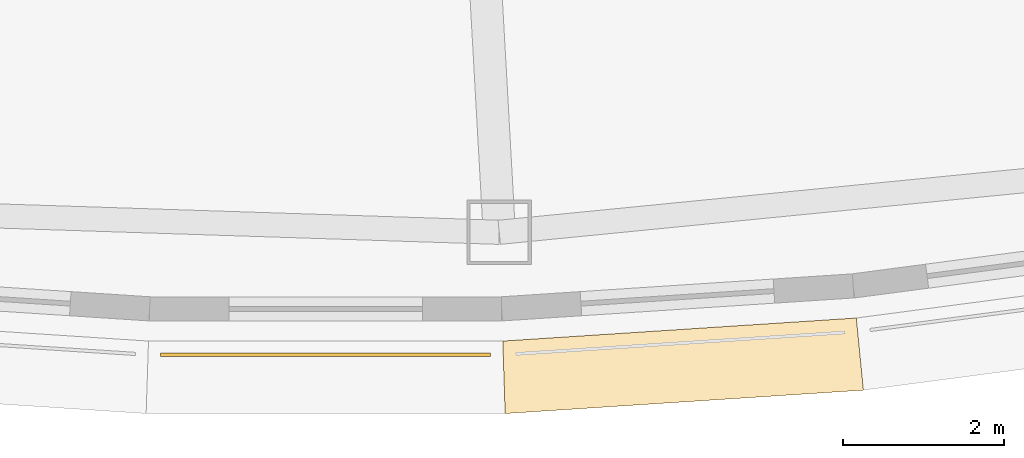
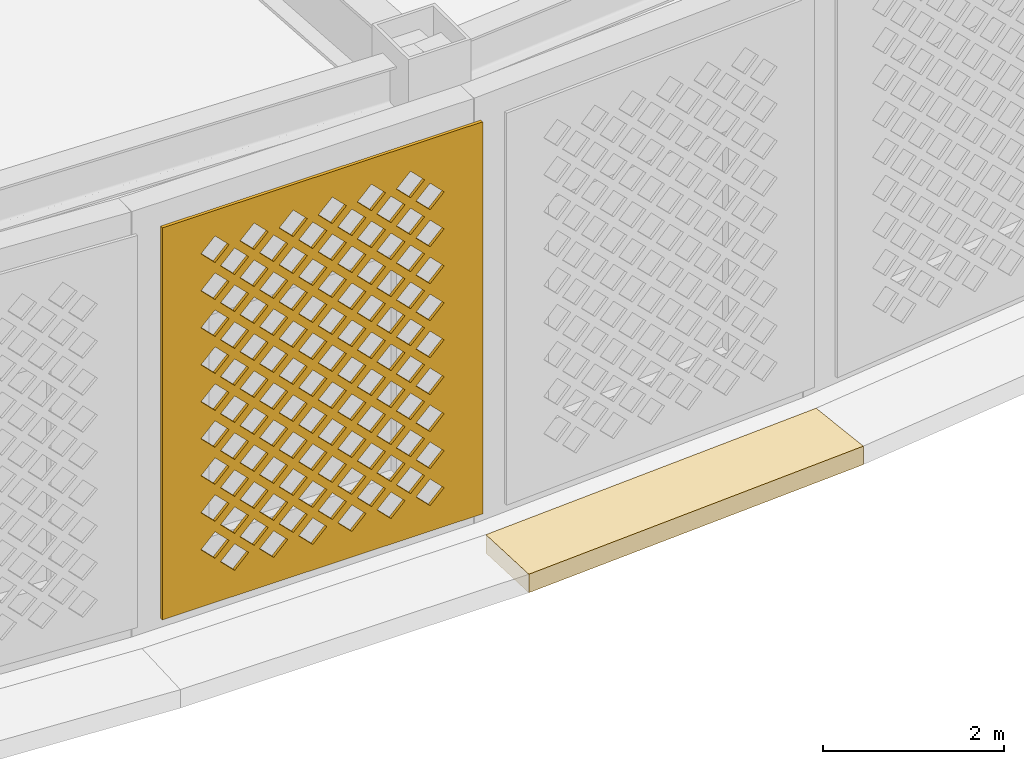
# One storey, part 58 of 74: 2 coverings.
"""IFC4 building model written with IfcOpenShell, lengths in metres."""

from ifc_helpers import new_model, si_unit, direction, frame, origin, place, context, subcontext, project, spatial, polyline, outline, extrude, material, layer, layer_set, type_object, element, save


model = new_model("IFC4")

# Units and contexts
model_context = context("Model", 3, precision=1e-05, world=origin(), true_north=direction((0.0, 1.0)))
body_context = subcontext(model_context, "Body", "Model", "MODEL_VIEW")
ifc_project = project(units=[si_unit("LENGTHUNIT", "METRE"), si_unit("AREAUNIT", "SQUARE_METRE"), si_unit("VOLUMEUNIT", "CUBIC_METRE"), si_unit("PLANEANGLEUNIT", "RADIAN"), si_unit("MASSUNIT", "GRAM", prefix="KILO")], contexts=[model_context])

# Site, building, storey
site_placement = place(None, origin())
site = spatial("IfcSite", under=ifc_project, at=site_placement, CompositionType="ELEMENT")
building_placement = place(site_placement, origin())
building = spatial("IfcBuilding", under=site, at=building_placement, Name="Noorbagh Ring Tower", CompositionType="ELEMENT")
storey_placement = place(building_placement, frame((0.0, 0.0, 13.5)))
storey = spatial("IfcBuildingStorey", under=building, at=storey_placement, Name="L02", CompositionType="ELEMENT", Elevation=13.5)

# Coverings
ifc_material_1 = material(Name="Red sandstone eave", Category="masonry")
covering_type_1 = type_object("IfcCoveringType", Name="STY-CHHAJJA", PredefinedType="USERDEFINED", material=ifc_material_1)
covering_1_placement = place(storey_placement, frame((0.0, 0.0, -0.25)))
element("IfcCovering", 1, at=covering_1_placement, inside=storey, type_object=covering_type_1, Name="Chhajja eave", ObjectType="CHHAJJA", PredefinedType="USERDEFINED", context=body_context, shape_type="SweptSolid", body=[
    extrude(outline(polyline([(2.198486328125, -39.964111328125), (6.586181640625, -39.677978515625), (6.67431640625, -40.573974609375), (2.227783203125, -40.8642578125), (2.198486328125, -39.964111328125)])), origin(), (0.0, 0.0, 1.0), 0.25),
])
ifc_material_2 = material(Name="Red sandstone jali", Category="masonry")
ifc_layer = layer(ifc_material_2, 0.0400390625)
ifc_layer_set = layer_set([ifc_layer], Name="Red sandstone jali")
covering_type_2 = type_object("IfcCoveringType", Name="STY-JALI", PredefinedType="USERDEFINED", material=ifc_layer_set)
covering_2_placement = place(storey_placement, frame((-2.048583984375, -40.154296875, 0.449951171875), z_axis=(0.0, -1.0, 0.0), x_axis=(1.0, 0.0, 0.0)))
element("IfcCovering", 2, at=covering_2_placement, inside=storey, type_object=covering_type_2, Name="Jali screen", ObjectType="SCREEN", PredefinedType="USERDEFINED", context=body_context, shape_type="SweptSolid", body=[
    extrude(outline(polyline([(0.0, 0.0), (4.09716796875, 0.0), (4.09716796875, 5.300048828125), (0.0, 5.300048828125), (0.0, 0.0)]), holes=[polyline([(0.743408203125, 0.52490234375), (0.923583984375, 0.344970703125), (1.103515625, 0.52490234375), (0.923583984375, 0.705078125), (0.743408203125, 0.52490234375)]), polyline([(1.243408203125, 0.52490234375), (1.423583984375, 0.344970703125), (1.603515625, 0.52490234375), (1.423583984375, 0.705078125), (1.243408203125, 0.52490234375)]), polyline([(1.743408203125, 0.52490234375), (1.923583984375, 0.344970703125), (2.103515625, 0.52490234375), (1.923583984375, 0.705078125), (1.743408203125, 0.52490234375)]), polyline([(2.243408203125, 0.52490234375), (2.423583984375, 0.344970703125), (2.603515625, 0.52490234375), (2.423583984375, 0.705078125), (2.243408203125, 0.52490234375)]), polyline([(2.743408203125, 0.52490234375), (2.923583984375, 0.344970703125), (3.103515625, 0.52490234375), (2.923583984375, 0.705078125), (2.743408203125, 0.52490234375)]), polyline([(3.243408203125, 0.52490234375), (3.423583984375, 0.344970703125), (3.603515625, 0.52490234375), (3.423583984375, 0.705078125), (3.243408203125, 0.52490234375)]), polyline([(0.493408203125, 0.77490234375), (0.673583984375, 0.594970703125), (0.853515625, 0.77490234375), (0.673583984375, 0.955078125), (0.493408203125, 0.77490234375)]), polyline([(0.993408203125, 0.77490234375), (1.173583984375, 0.594970703125), (1.353515625, 0.77490234375), (1.173583984375, 0.955078125), (0.993408203125, 0.77490234375)]), polyline([(1.493408203125, 0.77490234375), (1.673583984375, 0.594970703125), (1.853515625, 0.77490234375), (1.673583984375, 0.955078125), (1.493408203125, 0.77490234375)]), polyline([(1.993408203125, 0.77490234375), (2.173583984375, 0.594970703125), (2.353515625, 0.77490234375), (2.173583984375, 0.955078125), (1.993408203125, 0.77490234375)]), polyline([(2.493408203125, 0.77490234375), (2.673583984375, 0.594970703125), (2.853515625, 0.77490234375), (2.673583984375, 0.955078125), (2.493408203125, 0.77490234375)]), polyline([(2.993408203125, 0.77490234375), (3.173583984375, 0.594970703125), (3.353515625, 0.77490234375), (3.173583984375, 0.955078125), (2.993408203125, 0.77490234375)]), polyline([(0.743408203125, 1.02490234375), (0.923583984375, 0.844970703125), (1.103515625, 1.02490234375), (0.923583984375, 1.205078125), (0.743408203125, 1.02490234375)]), polyline([(1.243408203125, 1.02490234375), (1.423583984375, 0.844970703125), (1.603515625, 1.02490234375), (1.423583984375, 1.205078125), (1.243408203125, 1.02490234375)]), polyline([(1.743408203125, 1.02490234375), (1.923583984375, 0.844970703125), (2.103515625, 1.02490234375), (1.923583984375, 1.205078125), (1.743408203125, 1.02490234375)]), polyline([(2.243408203125, 1.02490234375), (2.423583984375, 0.844970703125), (2.603515625, 1.02490234375), (2.423583984375, 1.205078125), (2.243408203125, 1.02490234375)]), polyline([(2.743408203125, 1.02490234375), (2.923583984375, 0.844970703125), (3.103515625, 1.02490234375), (2.923583984375, 1.205078125), (2.743408203125, 1.02490234375)]), polyline([(3.243408203125, 1.02490234375), (3.423583984375, 0.844970703125), (3.603515625, 1.02490234375), (3.423583984375, 1.205078125), (3.243408203125, 1.02490234375)]), polyline([(0.493408203125, 1.27490234375), (0.673583984375, 1.094970703125), (0.853515625, 1.27490234375), (0.673583984375, 1.455078125), (0.493408203125, 1.27490234375)]), polyline([(0.993408203125, 1.27490234375), (1.173583984375, 1.094970703125), (1.353515625, 1.27490234375), (1.173583984375, 1.455078125), (0.993408203125, 1.27490234375)]), polyline([(1.493408203125, 1.27490234375), (1.673583984375, 1.094970703125), (1.853515625, 1.27490234375), (1.673583984375, 1.455078125), (1.493408203125, 1.27490234375)]), polyline([(1.993408203125, 1.27490234375), (2.173583984375, 1.094970703125), (2.353515625, 1.27490234375), (2.173583984375, 1.455078125), (1.993408203125, 1.27490234375)]), polyline([(2.493408203125, 1.27490234375), (2.673583984375, 1.094970703125), (2.853515625, 1.27490234375), (2.673583984375, 1.455078125), (2.493408203125, 1.27490234375)]), polyline([(2.993408203125, 1.27490234375), (3.173583984375, 1.094970703125), (3.353515625, 1.27490234375), (3.173583984375, 1.455078125), (2.993408203125, 1.27490234375)]), polyline([(0.743408203125, 1.52490234375), (0.923583984375, 1.344970703125), (1.103515625, 1.52490234375), (0.923583984375, 1.705078125), (0.743408203125, 1.52490234375)]), polyline([(1.243408203125, 1.52490234375), (1.423583984375, 1.344970703125), (1.603515625, 1.52490234375), (1.423583984375, 1.705078125), (1.243408203125, 1.52490234375)]), polyline([(1.743408203125, 1.52490234375), (1.923583984375, 1.344970703125), (2.103515625, 1.52490234375), (1.923583984375, 1.705078125), (1.743408203125, 1.52490234375)]), polyline([(2.243408203125, 1.52490234375), (2.423583984375, 1.344970703125), (2.603515625, 1.52490234375), (2.423583984375, 1.705078125), (2.243408203125, 1.52490234375)]), polyline([(2.743408203125, 1.52490234375), (2.923583984375, 1.344970703125), (3.103515625, 1.52490234375), (2.923583984375, 1.705078125), (2.743408203125, 1.52490234375)]), polyline([(3.243408203125, 1.52490234375), (3.423583984375, 1.344970703125), (3.603515625, 1.52490234375), (3.423583984375, 1.705078125), (3.243408203125, 1.52490234375)]), polyline([(0.493408203125, 1.77490234375), (0.673583984375, 1.594970703125), (0.853515625, 1.77490234375), (0.673583984375, 1.955078125), (0.493408203125, 1.77490234375)]), polyline([(0.993408203125, 1.77490234375), (1.173583984375, 1.594970703125), (1.353515625, 1.77490234375), (1.173583984375, 1.955078125), (0.993408203125, 1.77490234375)]), polyline([(1.493408203125, 1.77490234375), (1.673583984375, 1.594970703125), (1.853515625, 1.77490234375), (1.673583984375, 1.955078125), (1.493408203125, 1.77490234375)]), polyline([(1.993408203125, 1.77490234375), (2.173583984375, 1.594970703125), (2.353515625, 1.77490234375), (2.173583984375, 1.955078125), (1.993408203125, 1.77490234375)]), polyline([(2.493408203125, 1.77490234375), (2.673583984375, 1.594970703125), (2.853515625, 1.77490234375), (2.673583984375, 1.955078125), (2.493408203125, 1.77490234375)]), polyline([(2.993408203125, 1.77490234375), (3.173583984375, 1.594970703125), (3.353515625, 1.77490234375), (3.173583984375, 1.955078125), (2.993408203125, 1.77490234375)]), polyline([(0.743408203125, 2.02490234375), (0.923583984375, 1.844970703125), (1.103515625, 2.02490234375), (0.923583984375, 2.205078125), (0.743408203125, 2.02490234375)]), polyline([(1.243408203125, 2.02490234375), (1.423583984375, 1.844970703125), (1.603515625, 2.02490234375), (1.423583984375, 2.205078125), (1.243408203125, 2.02490234375)]), polyline([(1.743408203125, 2.02490234375), (1.923583984375, 1.844970703125), (2.103515625, 2.02490234375), (1.923583984375, 2.205078125), (1.743408203125, 2.02490234375)]), polyline([(2.243408203125, 2.02490234375), (2.423583984375, 1.844970703125), (2.603515625, 2.02490234375), (2.423583984375, 2.205078125), (2.243408203125, 2.02490234375)]), polyline([(2.743408203125, 2.02490234375), (2.923583984375, 1.844970703125), (3.103515625, 2.02490234375), (2.923583984375, 2.205078125), (2.743408203125, 2.02490234375)]), polyline([(3.243408203125, 2.02490234375), (3.423583984375, 1.844970703125), (3.603515625, 2.02490234375), (3.423583984375, 2.205078125), (3.243408203125, 2.02490234375)]), polyline([(0.493408203125, 2.27490234375), (0.673583984375, 2.094970703125), (0.853515625, 2.27490234375), (0.673583984375, 2.455078125), (0.493408203125, 2.27490234375)]), polyline([(0.993408203125, 2.27490234375), (1.173583984375, 2.094970703125), (1.353515625, 2.27490234375), (1.173583984375, 2.455078125), (0.993408203125, 2.27490234375)]), polyline([(1.493408203125, 2.27490234375), (1.673583984375, 2.094970703125), (1.853515625, 2.27490234375), (1.673583984375, 2.455078125), (1.493408203125, 2.27490234375)]), polyline([(1.993408203125, 2.27490234375), (2.173583984375, 2.094970703125), (2.353515625, 2.27490234375), (2.173583984375, 2.455078125), (1.993408203125, 2.27490234375)]), polyline([(2.493408203125, 2.27490234375), (2.673583984375, 2.094970703125), (2.853515625, 2.27490234375), (2.673583984375, 2.455078125), (2.493408203125, 2.27490234375)]), polyline([(2.993408203125, 2.27490234375), (3.173583984375, 2.094970703125), (3.353515625, 2.27490234375), (3.173583984375, 2.455078125), (2.993408203125, 2.27490234375)]), polyline([(0.743408203125, 2.52490234375), (0.923583984375, 2.344970703125), (1.103515625, 2.52490234375), (0.923583984375, 2.705078125), (0.743408203125, 2.52490234375)]), polyline([(1.243408203125, 2.52490234375), (1.423583984375, 2.344970703125), (1.603515625, 2.52490234375), (1.423583984375, 2.705078125), (1.243408203125, 2.52490234375)]), polyline([(1.743408203125, 2.52490234375), (1.923583984375, 2.344970703125), (2.103515625, 2.52490234375), (1.923583984375, 2.705078125), (1.743408203125, 2.52490234375)]), polyline([(2.243408203125, 2.52490234375), (2.423583984375, 2.344970703125), (2.603515625, 2.52490234375), (2.423583984375, 2.705078125), (2.243408203125, 2.52490234375)]), polyline([(2.743408203125, 2.52490234375), (2.923583984375, 2.344970703125), (3.103515625, 2.52490234375), (2.923583984375, 2.705078125), (2.743408203125, 2.52490234375)]), polyline([(3.243408203125, 2.52490234375), (3.423583984375, 2.344970703125), (3.603515625, 2.52490234375), (3.423583984375, 2.705078125), (3.243408203125, 2.52490234375)]), polyline([(0.493408203125, 2.77490234375), (0.673583984375, 2.594970703125), (0.853515625, 2.77490234375), (0.673583984375, 2.955078125), (0.493408203125, 2.77490234375)]), polyline([(0.993408203125, 2.77490234375), (1.173583984375, 2.594970703125), (1.353515625, 2.77490234375), (1.173583984375, 2.955078125), (0.993408203125, 2.77490234375)]), polyline([(1.493408203125, 2.77490234375), (1.673583984375, 2.594970703125), (1.853515625, 2.77490234375), (1.673583984375, 2.955078125), (1.493408203125, 2.77490234375)]), polyline([(1.993408203125, 2.77490234375), (2.173583984375, 2.594970703125), (2.353515625, 2.77490234375), (2.173583984375, 2.955078125), (1.993408203125, 2.77490234375)]), polyline([(2.493408203125, 2.77490234375), (2.673583984375, 2.594970703125), (2.853515625, 2.77490234375), (2.673583984375, 2.955078125), (2.493408203125, 2.77490234375)]), polyline([(2.993408203125, 2.77490234375), (3.173583984375, 2.594970703125), (3.353515625, 2.77490234375), (3.173583984375, 2.955078125), (2.993408203125, 2.77490234375)]), polyline([(0.743408203125, 3.02490234375), (0.923583984375, 2.844970703125), (1.103515625, 3.02490234375), (0.923583984375, 3.205078125), (0.743408203125, 3.02490234375)]), polyline([(1.243408203125, 3.02490234375), (1.423583984375, 2.844970703125), (1.603515625, 3.02490234375), (1.423583984375, 3.205078125), (1.243408203125, 3.02490234375)]), polyline([(1.743408203125, 3.02490234375), (1.923583984375, 2.844970703125), (2.103515625, 3.02490234375), (1.923583984375, 3.205078125), (1.743408203125, 3.02490234375)]), polyline([(2.243408203125, 3.02490234375), (2.423583984375, 2.844970703125), (2.603515625, 3.02490234375), (2.423583984375, 3.205078125), (2.243408203125, 3.02490234375)]), polyline([(2.743408203125, 3.02490234375), (2.923583984375, 2.844970703125), (3.103515625, 3.02490234375), (2.923583984375, 3.205078125), (2.743408203125, 3.02490234375)]), polyline([(3.243408203125, 3.02490234375), (3.423583984375, 2.844970703125), (3.603515625, 3.02490234375), (3.423583984375, 3.205078125), (3.243408203125, 3.02490234375)]), polyline([(0.493408203125, 3.27490234375), (0.673583984375, 3.094970703125), (0.853515625, 3.27490234375), (0.673583984375, 3.455078125), (0.493408203125, 3.27490234375)]), polyline([(0.993408203125, 3.27490234375), (1.173583984375, 3.094970703125), (1.353515625, 3.27490234375), (1.173583984375, 3.455078125), (0.993408203125, 3.27490234375)]), polyline([(1.493408203125, 3.27490234375), (1.673583984375, 3.094970703125), (1.853515625, 3.27490234375), (1.673583984375, 3.455078125), (1.493408203125, 3.27490234375)]), polyline([(1.993408203125, 3.27490234375), (2.173583984375, 3.094970703125), (2.353515625, 3.27490234375), (2.173583984375, 3.455078125), (1.993408203125, 3.27490234375)]), polyline([(2.493408203125, 3.27490234375), (2.673583984375, 3.094970703125), (2.853515625, 3.27490234375), (2.673583984375, 3.455078125), (2.493408203125, 3.27490234375)]), polyline([(2.993408203125, 3.27490234375), (3.173583984375, 3.094970703125), (3.353515625, 3.27490234375), (3.173583984375, 3.455078125), (2.993408203125, 3.27490234375)]), polyline([(0.743408203125, 3.52490234375), (0.923583984375, 3.344970703125), (1.103515625, 3.52490234375), (0.923583984375, 3.705078125), (0.743408203125, 3.52490234375)]), polyline([(1.243408203125, 3.52490234375), (1.423583984375, 3.344970703125), (1.603515625, 3.52490234375), (1.423583984375, 3.705078125), (1.243408203125, 3.52490234375)]), polyline([(1.743408203125, 3.52490234375), (1.923583984375, 3.344970703125), (2.103515625, 3.52490234375), (1.923583984375, 3.705078125), (1.743408203125, 3.52490234375)]), polyline([(2.243408203125, 3.52490234375), (2.423583984375, 3.344970703125), (2.603515625, 3.52490234375), (2.423583984375, 3.705078125), (2.243408203125, 3.52490234375)]), polyline([(2.743408203125, 3.52490234375), (2.923583984375, 3.344970703125), (3.103515625, 3.52490234375), (2.923583984375, 3.705078125), (2.743408203125, 3.52490234375)]), polyline([(3.243408203125, 3.52490234375), (3.423583984375, 3.344970703125), (3.603515625, 3.52490234375), (3.423583984375, 3.705078125), (3.243408203125, 3.52490234375)]), polyline([(0.493408203125, 3.77490234375), (0.673583984375, 3.594970703125), (0.853515625, 3.77490234375), (0.673583984375, 3.955078125), (0.493408203125, 3.77490234375)]), polyline([(0.993408203125, 3.77490234375), (1.173583984375, 3.594970703125), (1.353515625, 3.77490234375), (1.173583984375, 3.955078125), (0.993408203125, 3.77490234375)]), polyline([(1.493408203125, 3.77490234375), (1.673583984375, 3.594970703125), (1.853515625, 3.77490234375), (1.673583984375, 3.955078125), (1.493408203125, 3.77490234375)]), polyline([(1.993408203125, 3.77490234375), (2.173583984375, 3.594970703125), (2.353515625, 3.77490234375), (2.173583984375, 3.955078125), (1.993408203125, 3.77490234375)]), polyline([(2.493408203125, 3.77490234375), (2.673583984375, 3.594970703125), (2.853515625, 3.77490234375), (2.673583984375, 3.955078125), (2.493408203125, 3.77490234375)]), polyline([(2.993408203125, 3.77490234375), (3.173583984375, 3.594970703125), (3.353515625, 3.77490234375), (3.173583984375, 3.955078125), (2.993408203125, 3.77490234375)]), polyline([(0.743408203125, 4.02490234375), (0.923583984375, 3.844970703125), (1.103515625, 4.02490234375), (0.923583984375, 4.205078125), (0.743408203125, 4.02490234375)]), polyline([(1.243408203125, 4.02490234375), (1.423583984375, 3.844970703125), (1.603515625, 4.02490234375), (1.423583984375, 4.205078125), (1.243408203125, 4.02490234375)]), polyline([(1.743408203125, 4.02490234375), (1.923583984375, 3.844970703125), (2.103515625, 4.02490234375), (1.923583984375, 4.205078125), (1.743408203125, 4.02490234375)]), polyline([(2.243408203125, 4.02490234375), (2.423583984375, 3.844970703125), (2.603515625, 4.02490234375), (2.423583984375, 4.205078125), (2.243408203125, 4.02490234375)]), polyline([(2.743408203125, 4.02490234375), (2.923583984375, 3.844970703125), (3.103515625, 4.02490234375), (2.923583984375, 4.205078125), (2.743408203125, 4.02490234375)]), polyline([(3.243408203125, 4.02490234375), (3.423583984375, 3.844970703125), (3.603515625, 4.02490234375), (3.423583984375, 4.205078125), (3.243408203125, 4.02490234375)]), polyline([(0.493408203125, 4.27490234375), (0.673583984375, 4.094970703125), (0.853515625, 4.27490234375), (0.673583984375, 4.455078125), (0.493408203125, 4.27490234375)]), polyline([(0.993408203125, 4.27490234375), (1.173583984375, 4.094970703125), (1.353515625, 4.27490234375), (1.173583984375, 4.455078125), (0.993408203125, 4.27490234375)]), polyline([(1.493408203125, 4.27490234375), (1.673583984375, 4.094970703125), (1.853515625, 4.27490234375), (1.673583984375, 4.455078125), (1.493408203125, 4.27490234375)]), polyline([(1.993408203125, 4.27490234375), (2.173583984375, 4.094970703125), (2.353515625, 4.27490234375), (2.173583984375, 4.455078125), (1.993408203125, 4.27490234375)]), polyline([(2.493408203125, 4.27490234375), (2.673583984375, 4.094970703125), (2.853515625, 4.27490234375), (2.673583984375, 4.455078125), (2.493408203125, 4.27490234375)]), polyline([(2.993408203125, 4.27490234375), (3.173583984375, 4.094970703125), (3.353515625, 4.27490234375), (3.173583984375, 4.455078125), (2.993408203125, 4.27490234375)]), polyline([(0.743408203125, 4.52490234375), (0.923583984375, 4.344970703125), (1.103515625, 4.52490234375), (0.923583984375, 4.705078125), (0.743408203125, 4.52490234375)]), polyline([(1.243408203125, 4.52490234375), (1.423583984375, 4.344970703125), (1.603515625, 4.52490234375), (1.423583984375, 4.705078125), (1.243408203125, 4.52490234375)]), polyline([(1.743408203125, 4.52490234375), (1.923583984375, 4.344970703125), (2.103515625, 4.52490234375), (1.923583984375, 4.705078125), (1.743408203125, 4.52490234375)]), polyline([(2.243408203125, 4.52490234375), (2.423583984375, 4.344970703125), (2.603515625, 4.52490234375), (2.423583984375, 4.705078125), (2.243408203125, 4.52490234375)]), polyline([(2.743408203125, 4.52490234375), (2.923583984375, 4.344970703125), (3.103515625, 4.52490234375), (2.923583984375, 4.705078125), (2.743408203125, 4.52490234375)]), polyline([(3.243408203125, 4.52490234375), (3.423583984375, 4.344970703125), (3.603515625, 4.52490234375), (3.423583984375, 4.705078125), (3.243408203125, 4.52490234375)]), polyline([(0.493408203125, 4.77490234375), (0.673583984375, 4.594970703125), (0.853515625, 4.77490234375), (0.673583984375, 4.955078125), (0.493408203125, 4.77490234375)]), polyline([(0.993408203125, 4.77490234375), (1.173583984375, 4.594970703125), (1.353515625, 4.77490234375), (1.173583984375, 4.955078125), (0.993408203125, 4.77490234375)]), polyline([(1.493408203125, 4.77490234375), (1.673583984375, 4.594970703125), (1.853515625, 4.77490234375), (1.673583984375, 4.955078125), (1.493408203125, 4.77490234375)]), polyline([(1.993408203125, 4.77490234375), (2.173583984375, 4.594970703125), (2.353515625, 4.77490234375), (2.173583984375, 4.955078125), (1.993408203125, 4.77490234375)]), polyline([(2.493408203125, 4.77490234375), (2.673583984375, 4.594970703125), (2.853515625, 4.77490234375), (2.673583984375, 4.955078125), (2.493408203125, 4.77490234375)]), polyline([(2.993408203125, 4.77490234375), (3.173583984375, 4.594970703125), (3.353515625, 4.77490234375), (3.173583984375, 4.955078125), (2.993408203125, 4.77490234375)])]), origin(), (0.0, 0.0, -1.0), 0.0400390625),
])

save(model, "model.ifc")
